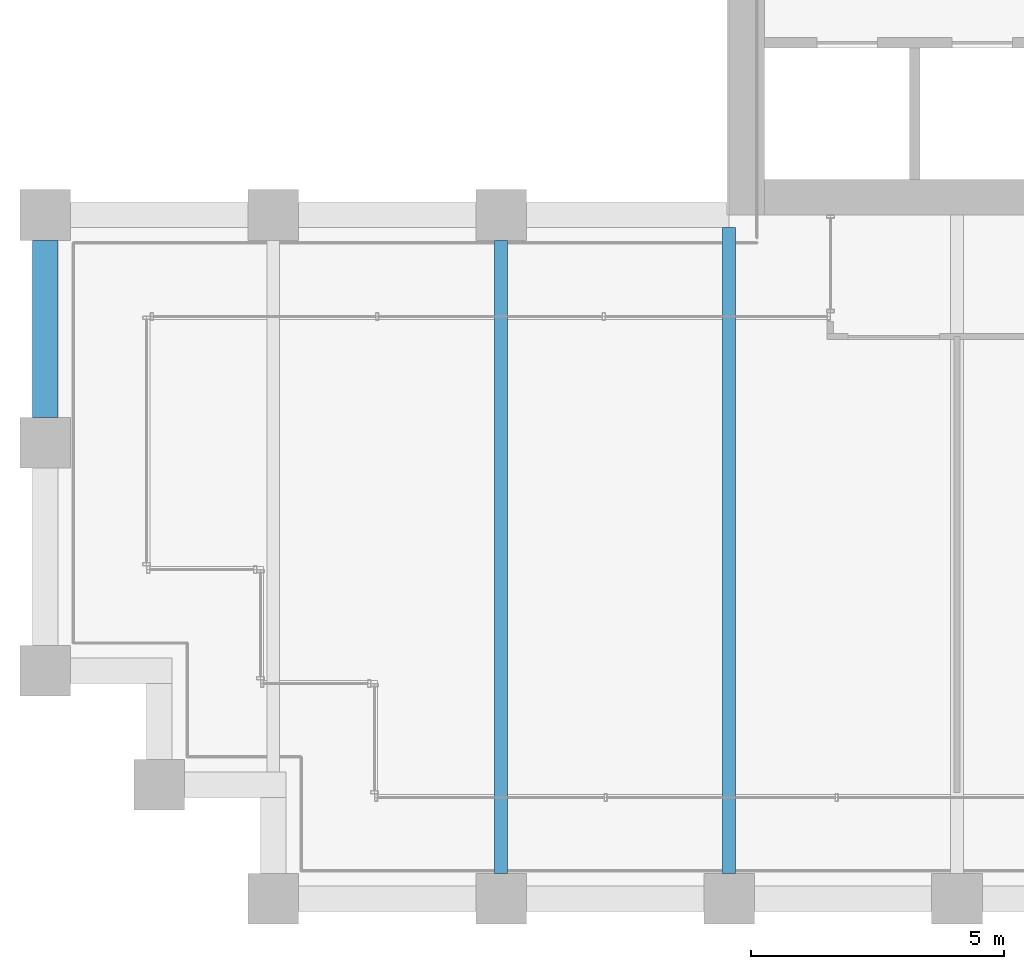
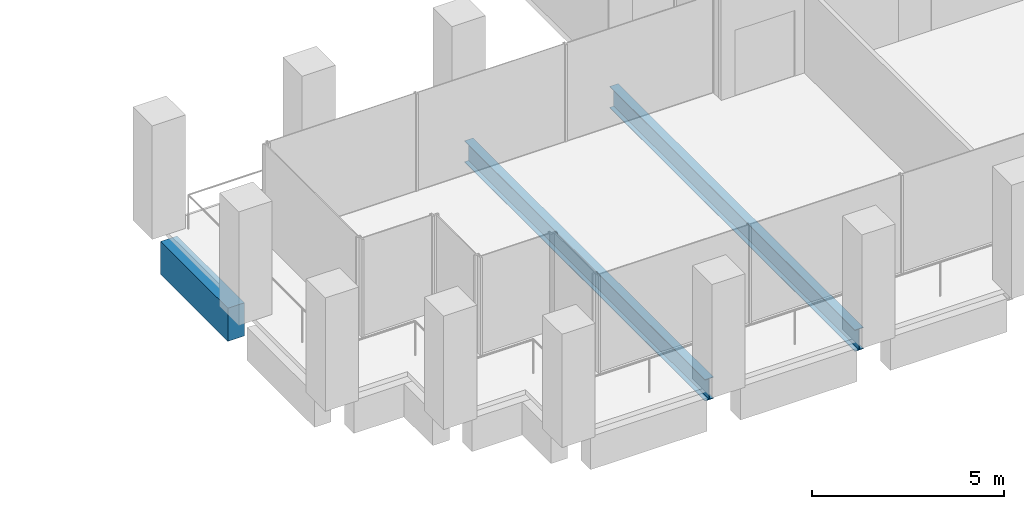
# One storey, part 4 of 47: 3 beams.
"""IFC4 building model written with IfcOpenShell, lengths in metres."""

from ifc_helpers import new_model, si_unit, direction, frame, origin, origin_2d, place, context, subcontext, project, spatial, rectangle, i_section, extrude, material, material_profile, profile_set, type_object, element, save


model = new_model("IFC4")

# Units and contexts
model_context = context("Model", 3, precision=1e-05, world=origin(), true_north=direction((0.0, 1.0)))
body_context = subcontext(model_context, "Body", "Model", "MODEL_VIEW")
ifc_project = project(units=[si_unit("LENGTHUNIT", "METRE"), si_unit("AREAUNIT", "SQUARE_METRE"), si_unit("VOLUMEUNIT", "CUBIC_METRE"), si_unit("PLANEANGLEUNIT", "RADIAN"), si_unit("MASSUNIT", "GRAM", prefix="KILO")], contexts=[model_context])

# Site, building, storey
site_placement = place(None, origin())
site = spatial("IfcSite", under=ifc_project, at=site_placement, CompositionType="ELEMENT")
building_placement = place(site_placement, origin())
building = spatial("IfcBuilding", under=site, at=building_placement, Name="Altepetl Exchange Towers", CompositionType="ELEMENT")
storey_placement = place(building_placement, frame((0.0, 0.0, 99.199951171875)))
storey = spatial("IfcBuildingStorey", under=building, at=storey_placement, Name="L24", CompositionType="ELEMENT", Elevation=99.199951171875)

# Beams
ifc_material_1 = material(Name="Steel S355", Category="steel")
ifc_material_profile_1 = material_profile(ifc_material_1, i_section(OverallWidth=0.25390625, OverallDepth=0.68408203125, WebThickness=0.012451171875, FlangeThickness=0.018798828125, at=origin_2d()), Name="W27X94")
ifc_profile_set_1 = profile_set([ifc_material_profile_1], Name="Steel S355")
beam_type_1 = type_object("IfcBeamType", Name="Floor beam W27X94", PredefinedType="BEAM", material=ifc_profile_set_1)
beam_1_placement = place(storey_placement, frame((36.0, 27.5, -0.491943359375), z_axis=(0.0, 1.0, 0.0), x_axis=(-1.0, 0.0, 0.0)))
element("IfcBeam", 1, at=beam_1_placement, inside=storey, type_object=beam_type_1, Name="bm:A:L24:013", PredefinedType="BEAM", context=body_context, shape_type="SweptSolid", body=[
    extrude(i_section(OverallWidth=0.25390625, OverallDepth=0.68408203125, WebThickness=0.012451171875, FlangeThickness=0.018798828125, at=origin_2d()), origin(), (0.0, 0.0, 1.0), 12.5),
])
beam_2_placement = place(storey_placement, frame((40.5, 27.5, -0.491943359375), z_axis=(0.0, 1.0, 0.0), x_axis=(-1.0, 0.0, 0.0)))
element("IfcBeam", 2, at=beam_2_placement, inside=storey, type_object=beam_type_1, Name="bm:A:L24:014", PredefinedType="BEAM", context=body_context, shape_type="SweptSolid", body=[
    extrude(i_section(OverallWidth=0.25390625, OverallDepth=0.68408203125, WebThickness=0.012451171875, FlangeThickness=0.018798828125, at=origin_2d()), origin(), (0.0, 0.0, 1.0), 12.75),
])
ifc_material_2 = material(Name="Concrete C50/60 precast with cantera blanca facing", Category="concrete")
ifc_material_profile_2 = material_profile(ifc_material_2, rectangle(XDim=0.5, YDim=1.050048828125, at=origin_2d()), Name="500 x 1050")
ifc_profile_set_2 = profile_set([ifc_material_profile_2], Name="Concrete C50/60 precast with cantera blanca facing")
beam_type_2 = type_object("IfcBeamType", Name="Spandrel beam 500x1050 cantera blanca", PredefinedType="SPANDREL", material=ifc_profile_set_2)
beam_3_placement = place(storey_placement, frame((27.0, 40.0, -0.675048828125), z_axis=(0.0, -1.0, 0.0), x_axis=(1.0, 0.0, 0.0)))
element("IfcBeam", 3, at=beam_3_placement, inside=storey, type_object=beam_type_2, Name="sp:A:L24:036", PredefinedType="SPANDREL", context=body_context, shape_type="SweptSolid", body=[
    extrude(rectangle(XDim=0.5, YDim=1.050048828125, at=origin_2d()), origin(), (0.0, 0.0, 1.0), 3.5),
])

save(model, "model.ifc")
